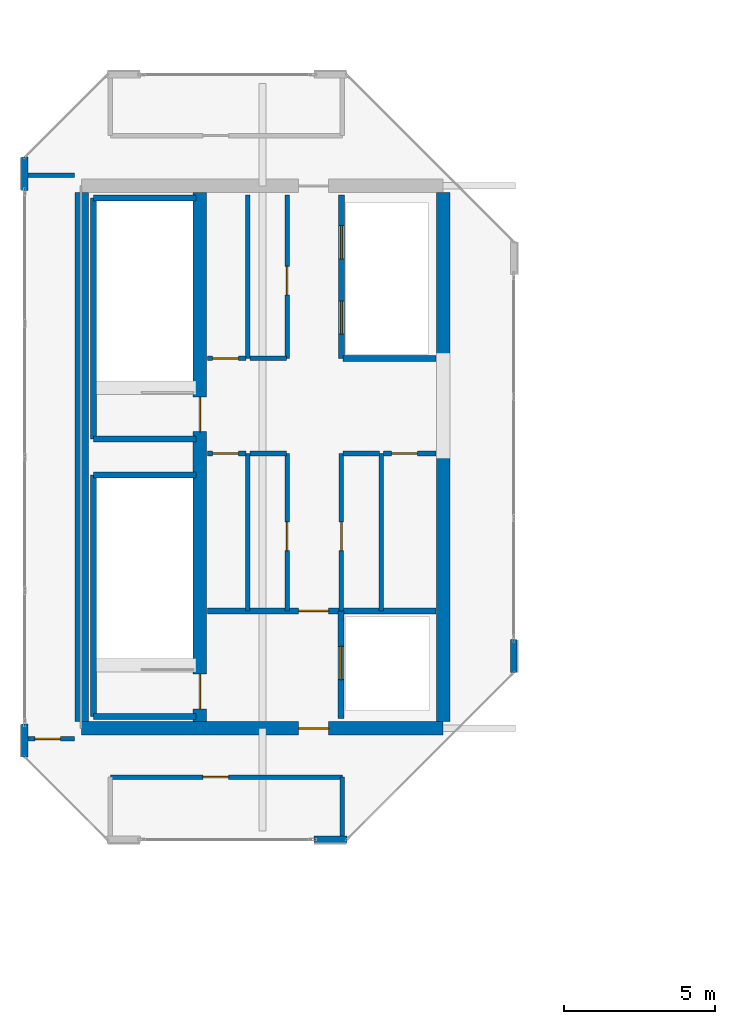
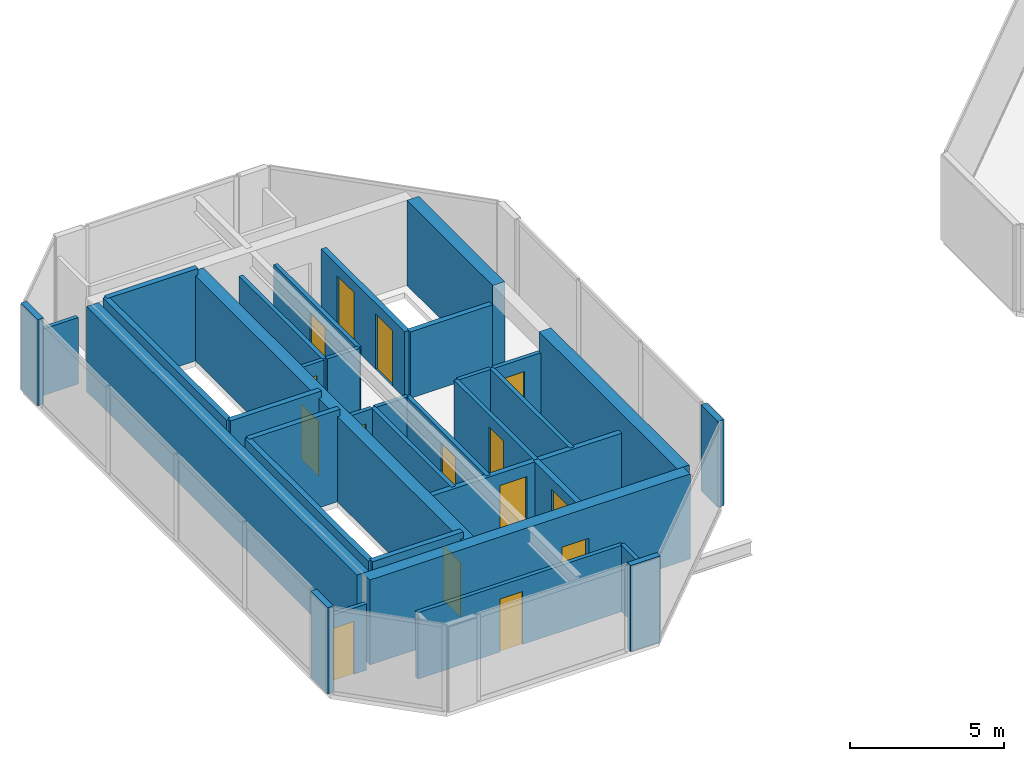
# One storey, part 23 of 28: 35 walls, 15 doors, 15 openings.
"""IFC4 building model written with IfcOpenShell, lengths in metres."""

from ifc_helpers import new_model, si_unit, direction, frame, frame_2d, origin, place, context, subcontext, project, spatial, rectangle, extrude, material, layer, layer_set, type_object, element, fill, save


model = new_model("IFC4")

# Units and contexts
model_context = context("Model", 3, precision=1e-05, world=origin(), true_north=direction((0.0, 1.0)))
body_context = subcontext(model_context, "Body", "Model", "MODEL_VIEW")
ifc_project = project(units=[si_unit("LENGTHUNIT", "METRE"), si_unit("AREAUNIT", "SQUARE_METRE"), si_unit("VOLUMEUNIT", "CUBIC_METRE"), si_unit("PLANEANGLEUNIT", "RADIAN"), si_unit("MASSUNIT", "GRAM", prefix="KILO")], contexts=[model_context])

# Site, building, storey
site_placement = place(None, origin())
site = spatial("IfcSite", under=ifc_project, at=site_placement, CompositionType="ELEMENT")
building_placement = place(site_placement, origin())
building = spatial("IfcBuilding", under=site, at=building_placement, Name="Tanjung Sevakor Pilgrim Tower", CompositionType="ELEMENT")
storey_placement = place(building_placement, frame((0.0, 0.0, 257.070068359375)))
storey = spatial("IfcBuildingStorey", under=building, at=storey_placement, Name="L72", CompositionType="ELEMENT", Elevation=257.070068359375)

# Wall, opening, door
ifc_material_1 = material(Name="Concrete C60/75", Category="concrete")
ifc_layer_1 = layer(ifc_material_1, 0.449951171875)
ifc_layer_set_1 = layer_set([ifc_layer_1], Name="WALL-CW-450")
wall_type_1 = type_object("IfcWallType", Name="WALL-CW-450", PredefinedType="SHEAR", material=ifc_layer_set_1)
wall_1_placement = place(storey_placement, frame((24.0, 24.60009765625, 0.0), z_axis=(0.0, 0.0, 1.0), x_axis=(1.0, 0.0, 0.0)))
wall_1 = element("IfcWall", 1, at=wall_1_placement, inside=storey, type_object=wall_type_1, Name="L72 W Core South Shear Wall", PredefinedType="SHEAR", context=body_context, shape_type="SweptSolid", body=[
    extrude(rectangle(XDim=12.0, YDim=0.449951171875, at=frame_2d((6.0, 0.0))), origin(), (0.0, 0.0, 1.0), 3.369873046875),
])
opening_1_placement = place(wall_1_placement, frame((7.199951171875, 0.0, 0.0)))
opening_1 = element("IfcOpeningElement", 2, at=opening_1_placement, cuts=wall_1, Name="Opening ID-FD1", PredefinedType="OPENING", context=body_context, shape_type="SweptSolid", body=[
    extrude(rectangle(XDim=1.0, YDim=2.14990234375, at=frame_2d((0.5, 1.074951171875))), frame((0.0, 0.23486328125, 0.0), z_axis=(0.0, -1.0, 0.0), x_axis=(1.0, 0.0, 0.0)), (0.0, 0.0, 1.0), 0.469970703125),
])
ifc_material_2 = material(Name="Fire-Rated Steel S355J2", Category="steel")
door_type_1 = type_object("IfcDoorType", Name="DT-FIRE-1000", OperationType="NOTDEFINED", PredefinedType="DOOR", material=ifc_material_2)
door_1_placement = place(opening_1_placement, origin())
door_1 = element("IfcDoor", 3, at=door_1_placement, inside=storey, type_object=door_type_1, Name="L72 West Core South Vestibule Fire Door", OperationType="SINGLE_SWING_LEFT", OverallHeight=2.14990234375, OverallWidth=1.0, PredefinedType="DOOR", context=body_context, shape_type="SweptSolid", body=[
    extrude(rectangle(XDim=1.0, YDim=2.14990234375, at=frame_2d((0.5, 1.074951171875))), frame((0.0, 0.02490234375, 0.0), z_axis=(0.0, -1.0, 0.0), x_axis=(1.0, 0.0, 0.0)), (0.0, 0.0, 1.0), 0.050048828125),
])
fill(opening_1, door_1)

# Walls
wall_2_placement = place(storey_placement, frame((24.0, 24.824951171875, 0.0), z_axis=(0.0, 0.0, 1.0), x_axis=(0.0, 1.0, 0.0)))
element("IfcWall", 4, at=wall_2_placement, inside=storey, type_object=wall_type_1, Name="L72 W Core Outer Shear Wall", PredefinedType="SHEAR", context=body_context, shape_type="SweptSolid", body=[
    extrude(rectangle(XDim=17.550048828125, YDim=0.449951171875, at=frame_2d((8.77490234375, 0.0))), origin(), (0.0, 0.0, 1.0), 3.369873046875),
])
wall_3_placement = place(storey_placement, frame((36.0, 24.824951171875, 0.0), z_axis=(0.0, 0.0, 1.0), x_axis=(0.0, 1.0, 0.0)))
element("IfcWall", 5, at=wall_3_placement, inside=storey, type_object=wall_type_1, Name="L72 W Core Inner Shear Wall South", PredefinedType="SHEAR", context=body_context, shape_type="SweptSolid", body=[
    extrude(rectangle(XDim=8.97509765625, YDim=0.449951171875, at=frame_2d((4.487548828125, 0.0))), origin(), (0.0, 0.0, 1.0), 3.369873046875),
])
wall_4_placement = place(storey_placement, frame((36.0, 36.800048828125, 0.0), z_axis=(0.0, 0.0, 1.0), x_axis=(0.0, 1.0, 0.0)))
element("IfcWall", 6, at=wall_4_placement, inside=storey, type_object=wall_type_1, Name="L72 W Core Inner Shear Wall North", PredefinedType="SHEAR", context=body_context, shape_type="SweptSolid", body=[
    extrude(rectangle(XDim=5.574951171875, YDim=0.449951171875, at=frame_2d((2.78759765625, 0.0))), origin(), (0.0, 0.0, 1.0), 3.369873046875),
])

# Wall, openings, doors
wall_5_placement = place(storey_placement, frame((27.925048828125, 24.824951171875, 0.0), z_axis=(0.0, 0.0, 1.0), x_axis=(0.0, 1.0, 0.0)))
wall_5 = element("IfcWall", 7, at=wall_5_placement, inside=storey, type_object=wall_type_1, Name="L72 W Core Stair Spine Wall", PredefinedType="SHEAR", context=body_context, shape_type="SweptSolid", body=[
    extrude(rectangle(XDim=17.550048828125, YDim=0.449951171875, at=frame_2d((8.77490234375, 0.0))), origin(), (0.0, 0.0, 1.0), 3.369873046875),
])
opening_2_placement = place(wall_5_placement, frame((0.425048828125, 0.0, 0.0)))
opening_2 = element("IfcOpeningElement", 8, at=opening_2_placement, cuts=wall_5, Name="Opening ID-ST1", PredefinedType="OPENING", context=body_context, shape_type="SweptSolid", body=[
    extrude(rectangle(XDim=1.14990234375, YDim=2.14990234375, at=frame_2d((0.574951171875, 1.074951171875))), frame((0.0, 0.23486328125, 0.0), z_axis=(0.0, -1.0, 0.0), x_axis=(1.0, 0.0, 0.0)), (0.0, 0.0, 1.0), 0.469970703125),
])
opening_3_placement = place(wall_5_placement, frame((9.625, 0.0, 0.0)))
opening_3 = element("IfcOpeningElement", 9, at=opening_3_placement, cuts=wall_5, Name="Opening ID-ST1", PredefinedType="OPENING", context=body_context, shape_type="SweptSolid", body=[
    extrude(rectangle(XDim=1.14990234375, YDim=2.14990234375, at=frame_2d((0.574951171875, 1.074951171875))), frame((0.0, 0.23486328125, 0.0), z_axis=(0.0, -1.0, 0.0), x_axis=(1.0, 0.0, 0.0)), (0.0, 0.0, 1.0), 0.469970703125),
])
ifc_material_3 = material(Name="Fire-Rated Steel S355J2", Category="steel")
door_type_2 = type_object("IfcDoorType", Name="DT-FIRE-1150", OperationType="NOTDEFINED", PredefinedType="DOOR", material=ifc_material_3)
door_2_placement = place(opening_2_placement, origin())
door_2 = element("IfcDoor", 10, at=door_2_placement, inside=storey, type_object=door_type_2, Name="L72 TS-W1 Stair Fire Door", OperationType="SINGLE_SWING_LEFT", OverallHeight=2.14990234375, OverallWidth=1.14990234375, PredefinedType="DOOR", context=body_context, shape_type="SweptSolid", body=[
    extrude(rectangle(XDim=1.14990234375, YDim=2.14990234375, at=frame_2d((0.574951171875, 1.074951171875))), frame((0.0, 0.02490234375, 0.0), z_axis=(0.0, -1.0, 0.0), x_axis=(1.0, 0.0, 0.0)), (0.0, 0.0, 1.0), 0.050048828125),
])
fill(opening_2, door_2)
door_3_placement = place(opening_3_placement, origin())
door_3 = element("IfcDoor", 11, at=door_3_placement, inside=storey, type_object=door_type_2, Name="L72 TS-W2 Stair Fire Door", OperationType="SINGLE_SWING_RIGHT", OverallHeight=2.14990234375, OverallWidth=1.14990234375, PredefinedType="DOOR", context=body_context, shape_type="SweptSolid", body=[
    extrude(rectangle(XDim=1.14990234375, YDim=2.14990234375, at=frame_2d((0.574951171875, 1.074951171875))), frame((0.0, 0.02490234375, 0.0), z_axis=(0.0, -1.0, 0.0), x_axis=(1.0, 0.0, 0.0)), (0.0, 0.0, 1.0), 0.050048828125),
])
fill(opening_3, door_3)

# Wall
ifc_material_4 = material(Name="Concrete C40/50", Category="concrete")
ifc_layer_2 = layer(ifc_material_4, 0.14990234375)
ifc_layer_set_2 = layer_set([ifc_layer_2], Name="WT-COMP-150")
wall_type_2 = type_object("IfcWallType", Name="WT-COMP-150", PredefinedType="SOLIDWALL", material=ifc_layer_set_2)
wall_6_placement = place(storey_placement, frame((29.52001953125, 28.5, 0.0), z_axis=(0.0, 0.0, 1.0), x_axis=(0.0, 1.0, 0.0)))
element("IfcWall", 12, at=wall_6_placement, inside=storey, type_object=wall_type_2, Name="L72 Partition IW-L72-003", PredefinedType="SOLIDWALL", context=body_context, shape_type="SweptSolid", body=[
    extrude(rectangle(XDim=5.219970703125, YDim=0.14990234375, at=frame_2d((2.60986328125, 0.0))), origin(), (0.0, 0.0, 1.0), 2.6298828125),
])

# Wall, opening, door
wall_7_placement = place(storey_placement, frame((28.169921875, 33.719970703125, 0.0), z_axis=(0.0, 0.0, 1.0), x_axis=(1.0, 0.0, 0.0)))
wall_7 = element("IfcWall", 13, at=wall_7_placement, inside=storey, type_object=wall_type_2, Name="L72 Partition IW-L72-004", PredefinedType="SOLIDWALL", context=body_context, shape_type="SweptSolid", body=[
    extrude(rectangle(XDim=1.280029296875, YDim=0.14990234375, at=frame_2d((0.64013671875, 0.0))), origin(), (0.0, 0.0, 1.0), 2.6298828125),
])
opening_4_placement = place(wall_7_placement, frame((0.179931640625, 0.0, 0.0)))
opening_4 = element("IfcOpeningElement", 14, at=opening_4_placement, cuts=wall_7, Name="Opening ID-FD3", PredefinedType="OPENING", context=body_context, shape_type="SweptSolid", body=[
    extrude(rectangle(XDim=0.85009765625, YDim=2.10009765625, at=frame_2d((0.425048828125, 1.050048828125))), frame((0.0, 0.0849609375, 0.0), z_axis=(0.0, -1.0, 0.0), x_axis=(1.0, 0.0, 0.0)), (0.0, 0.0, 1.0), 0.169921875),
])
ifc_material_5 = material(Name="Fire-Rated Timber", Category="wood")
door_type_3 = type_object("IfcDoorType", Name="DT-FIRE-850", OperationType="NOTDEFINED", PredefinedType="DOOR", material=ifc_material_5)
door_4_placement = place(opening_4_placement, origin())
door_4 = element("IfcDoor", 15, at=door_4_placement, inside=storey, type_object=door_type_3, Name="L72 Cleaner Store Door", OperationType="SINGLE_SWING_RIGHT", OverallHeight=2.10009765625, OverallWidth=0.85009765625, PredefinedType="DOOR", context=body_context, shape_type="SweptSolid", body=[
    extrude(rectangle(XDim=0.85009765625, YDim=2.10009765625, at=frame_2d((0.425048828125, 1.050048828125))), frame((0.0, 0.02490234375, 0.0), z_axis=(0.0, -1.0, 0.0), x_axis=(1.0, 0.0, 0.0)), (0.0, 0.0, 1.0), 0.050048828125),
])
fill(opening_4, door_4)

# Wall
wall_8_placement = place(storey_placement, frame((29.580078125, 33.719970703125, 0.0), z_axis=(0.0, 0.0, 1.0), x_axis=(1.0, 0.0, 0.0)))
element("IfcWall", 16, at=wall_8_placement, inside=storey, type_object=wall_type_2, Name="L72 Partition IW-L72-005", PredefinedType="SOLIDWALL", context=body_context, shape_type="SweptSolid", body=[
    extrude(rectangle(XDim=1.219970703125, YDim=0.14990234375, at=frame_2d((0.60986328125, 0.0))), origin(), (0.0, 0.0, 1.0), 2.6298828125),
])

# Wall, opening, door
wall_9_placement = place(storey_placement, frame((30.820068359375, 28.5, 0.0), z_axis=(0.0, 0.0, 1.0), x_axis=(0.0, 1.0, 0.0)))
wall_9 = element("IfcWall", 17, at=wall_9_placement, inside=storey, type_object=wall_type_2, Name="L72 Partition IW-L72-006", PredefinedType="SOLIDWALL", context=body_context, shape_type="SweptSolid", body=[
    extrude(rectangle(XDim=5.219970703125, YDim=0.14990234375, at=frame_2d((2.60986328125, 0.0))), origin(), (0.0, 0.0, 1.0), 2.6298828125),
])
opening_5_placement = place(wall_9_placement, frame((2.0, 0.0, 0.0)))
opening_5 = element("IfcOpeningElement", 18, at=opening_5_placement, cuts=wall_9, Name="Opening ID-FD2", PredefinedType="OPENING", context=body_context, shape_type="SweptSolid", body=[
    extrude(rectangle(XDim=0.949951171875, YDim=2.14990234375, at=frame_2d((0.47509765625, 1.074951171875))), frame((0.0, 0.0849609375, 0.0), z_axis=(0.0, -1.0, 0.0), x_axis=(1.0, 0.0, 0.0)), (0.0, 0.0, 1.0), 0.169921875),
])
ifc_material_6 = material(Name="Fire-Rated Timber", Category="wood")
door_type_4 = type_object("IfcDoorType", Name="DT-FIRE-950", OperationType="NOTDEFINED", PredefinedType="DOOR", material=ifc_material_6)
door_5_placement = place(opening_5_placement, origin())
door_5 = element("IfcDoor", 19, at=door_5_placement, inside=storey, type_object=door_type_4, Name="L72 Housekeeping Pantry Door", OperationType="SINGLE_SWING_LEFT", OverallHeight=2.14990234375, OverallWidth=0.949951171875, PredefinedType="DOOR", context=body_context, shape_type="SweptSolid", body=[
    extrude(rectangle(XDim=0.949951171875, YDim=2.14990234375, at=frame_2d((0.47509765625, 1.074951171875))), frame((0.0, 0.02490234375, 0.0), z_axis=(0.0, -1.0, 0.0), x_axis=(1.0, 0.0, 0.0)), (0.0, 0.0, 1.0), 0.050048828125),
])
fill(opening_5, door_5)

# Walls
wall_10_placement = place(storey_placement, frame((33.949951171875, 28.5, 0.0), z_axis=(0.0, 0.0, 1.0), x_axis=(0.0, 1.0, 0.0)))
element("IfcWall", 20, at=wall_10_placement, inside=storey, type_object=wall_type_2, Name="L72 Partition IW-L72-007", PredefinedType="SOLIDWALL", context=body_context, shape_type="SweptSolid", body=[
    extrude(rectangle(XDim=5.219970703125, YDim=0.14990234375, at=frame_2d((2.60986328125, 0.0))), origin(), (0.0, 0.0, 1.0), 2.6298828125),
])
wall_11_placement = place(storey_placement, frame((32.679931640625, 33.719970703125, 0.0), z_axis=(0.0, 0.0, 1.0), x_axis=(1.0, 0.0, 0.0)))
element("IfcWall", 21, at=wall_11_placement, inside=storey, type_object=wall_type_2, Name="L72 Partition IW-L72-008", PredefinedType="SOLIDWALL", context=body_context, shape_type="SweptSolid", body=[
    extrude(rectangle(XDim=1.2099609375, YDim=0.14990234375, at=frame_2d((0.60498046875, 0.0))), origin(), (0.0, 0.0, 1.0), 2.6298828125),
])

# Wall, opening, door
wall_12_placement = place(storey_placement, frame((34.010009765625, 33.719970703125, 0.0), z_axis=(0.0, 0.0, 1.0), x_axis=(1.0, 0.0, 0.0)))
wall_12 = element("IfcWall", 22, at=wall_12_placement, inside=storey, type_object=wall_type_2, Name="L72 Partition IW-L72-009", PredefinedType="SOLIDWALL", context=body_context, shape_type="SweptSolid", body=[
    extrude(rectangle(XDim=1.744873046875, YDim=0.14990234375, at=frame_2d((0.87255859375, 0.0))), origin(), (0.0, 0.0, 1.0), 2.6298828125),
])
opening_6_placement = place(wall_12_placement, frame((0.280029296875, 0.0, 0.0)))
opening_6 = element("IfcOpeningElement", 23, at=opening_6_placement, cuts=wall_12, Name="Opening ID-FD3", PredefinedType="OPENING", context=body_context, shape_type="SweptSolid", body=[
    extrude(rectangle(XDim=0.85009765625, YDim=2.10009765625, at=frame_2d((0.425048828125, 1.050048828125))), frame((0.0, 0.0849609375, 0.0), z_axis=(0.0, -1.0, 0.0), x_axis=(1.0, 0.0, 0.0)), (0.0, 0.0, 1.0), 0.169921875),
])
door_6_placement = place(opening_6_placement, origin())
door_6 = element("IfcDoor", 24, at=door_6_placement, inside=storey, type_object=door_type_3, Name="L72 Service Store Door", OperationType="SINGLE_SWING_RIGHT", OverallHeight=2.10009765625, OverallWidth=0.85009765625, PredefinedType="DOOR", context=body_context, shape_type="SweptSolid", body=[
    extrude(rectangle(XDim=0.85009765625, YDim=2.10009765625, at=frame_2d((0.425048828125, 1.050048828125))), frame((0.0, 0.02490234375, 0.0), z_axis=(0.0, -1.0, 0.0), x_axis=(1.0, 0.0, 0.0)), (0.0, 0.0, 1.0), 0.050048828125),
])
fill(opening_6, door_6)

wall_13_placement = place(storey_placement, frame((32.6201171875, 28.5, 0.0), z_axis=(0.0, 0.0, 1.0), x_axis=(0.0, 1.0, 0.0)))
wall_13 = element("IfcWall", 25, at=wall_13_placement, inside=storey, type_object=wall_type_2, Name="L72 Partition IW-L72-010", PredefinedType="SOLIDWALL", context=body_context, shape_type="SweptSolid", body=[
    extrude(rectangle(XDim=5.219970703125, YDim=0.14990234375, at=frame_2d((2.60986328125, 0.0))), origin(), (0.0, 0.0, 1.0), 2.6298828125),
])
opening_7_placement = place(wall_13_placement, frame((2.0, 0.0, 0.0)))
opening_7 = element("IfcOpeningElement", 26, at=opening_7_placement, cuts=wall_13, Name="Opening ID-FD2", PredefinedType="OPENING", context=body_context, shape_type="SweptSolid", body=[
    extrude(rectangle(XDim=0.949951171875, YDim=2.14990234375, at=frame_2d((0.47509765625, 1.074951171875))), frame((0.0, 0.0849609375, 0.0), z_axis=(0.0, -1.0, 0.0), x_axis=(1.0, 0.0, 0.0)), (0.0, 0.0, 1.0), 0.169921875),
])
door_7_placement = place(opening_7_placement, origin())
door_7 = element("IfcDoor", 27, at=door_7_placement, inside=storey, type_object=door_type_4, Name="L72 Accessible WC Door", OperationType="SINGLE_SWING_LEFT", OverallHeight=2.14990234375, OverallWidth=0.949951171875, PredefinedType="DOOR", context=body_context, shape_type="SweptSolid", body=[
    extrude(rectangle(XDim=0.949951171875, YDim=2.14990234375, at=frame_2d((0.47509765625, 1.074951171875))), frame((0.0, 0.02490234375, 0.0), z_axis=(0.0, -1.0, 0.0), x_axis=(1.0, 0.0, 0.0)), (0.0, 0.0, 1.0), 0.050048828125),
])
fill(opening_7, door_7)

# Wall
wall_14_placement = place(storey_placement, frame((29.52001953125, 36.8798828125, 0.0), z_axis=(0.0, 0.0, 1.0), x_axis=(0.0, 1.0, 0.0)))
element("IfcWall", 28, at=wall_14_placement, inside=storey, type_object=wall_type_2, Name="L72 Partition IW-L72-011", PredefinedType="SOLIDWALL", context=body_context, shape_type="SweptSolid", body=[
    extrude(rectangle(XDim=5.420166015625, YDim=0.14990234375, at=frame_2d((2.7099609375, 0.0))), origin(), (0.0, 0.0, 1.0), 2.6298828125),
])

# Wall, opening, door
wall_15_placement = place(storey_placement, frame((28.169921875, 36.8798828125, 0.0), z_axis=(0.0, 0.0, 1.0), x_axis=(1.0, 0.0, 0.0)))
wall_15 = element("IfcWall", 29, at=wall_15_placement, inside=storey, type_object=wall_type_2, Name="L72 Partition IW-L72-012", PredefinedType="SOLIDWALL", context=body_context, shape_type="SweptSolid", body=[
    extrude(rectangle(XDim=1.280029296875, YDim=0.14990234375, at=frame_2d((0.64013671875, 0.0))), origin(), (0.0, 0.0, 1.0), 2.6298828125),
])
opening_8_placement = place(wall_15_placement, frame((0.179931640625, 0.0, 0.0)))
opening_8 = element("IfcOpeningElement", 30, at=opening_8_placement, cuts=wall_15, Name="Opening ID-FD3", PredefinedType="OPENING", context=body_context, shape_type="SweptSolid", body=[
    extrude(rectangle(XDim=0.85009765625, YDim=2.10009765625, at=frame_2d((0.425048828125, 1.050048828125))), frame((0.0, 0.0849609375, 0.0), z_axis=(0.0, -1.0, 0.0), x_axis=(1.0, 0.0, 0.0)), (0.0, 0.0, 1.0), 0.169921875),
])
door_8_placement = place(opening_8_placement, origin())
door_8 = element("IfcDoor", 31, at=door_8_placement, inside=storey, type_object=door_type_3, Name="L72 Service Store Door", OperationType="SINGLE_SWING_RIGHT", OverallHeight=2.10009765625, OverallWidth=0.85009765625, PredefinedType="DOOR", context=body_context, shape_type="SweptSolid", body=[
    extrude(rectangle(XDim=0.85009765625, YDim=2.10009765625, at=frame_2d((0.425048828125, 1.050048828125))), frame((0.0, 0.02490234375, 0.0), z_axis=(0.0, -1.0, 0.0), x_axis=(1.0, 0.0, 0.0)), (0.0, 0.0, 1.0), 0.050048828125),
])
fill(opening_8, door_8)

# Wall
wall_16_placement = place(storey_placement, frame((29.580078125, 36.8798828125, 0.0), z_axis=(0.0, 0.0, 1.0), x_axis=(1.0, 0.0, 0.0)))
element("IfcWall", 32, at=wall_16_placement, inside=storey, type_object=wall_type_2, Name="L72 Partition IW-L72-013", PredefinedType="SOLIDWALL", context=body_context, shape_type="SweptSolid", body=[
    extrude(rectangle(XDim=1.219970703125, YDim=0.14990234375, at=frame_2d((0.60986328125, 0.0))), origin(), (0.0, 0.0, 1.0), 2.6298828125),
])

# Wall, opening, door
wall_17_placement = place(storey_placement, frame((30.820068359375, 36.8798828125, 0.0), z_axis=(0.0, 0.0, 1.0), x_axis=(0.0, 1.0, 0.0)))
wall_17 = element("IfcWall", 33, at=wall_17_placement, inside=storey, type_object=wall_type_2, Name="L72 Partition IW-L72-014", PredefinedType="SOLIDWALL", context=body_context, shape_type="SweptSolid", body=[
    extrude(rectangle(XDim=5.420166015625, YDim=0.14990234375, at=frame_2d((2.7099609375, 0.0))), origin(), (0.0, 0.0, 1.0), 2.6298828125),
])
opening_9_placement = place(wall_17_placement, frame((2.10009765625, 0.0, 0.0)))
opening_9 = element("IfcOpeningElement", 34, at=opening_9_placement, cuts=wall_17, Name="Opening ID-FD2", PredefinedType="OPENING", context=body_context, shape_type="SweptSolid", body=[
    extrude(rectangle(XDim=0.949951171875, YDim=2.14990234375, at=frame_2d((0.47509765625, 1.074951171875))), frame((0.0, 0.0849609375, 0.0), z_axis=(0.0, -1.0, 0.0), x_axis=(1.0, 0.0, 0.0)), (0.0, 0.0, 1.0), 0.169921875),
])
door_9_placement = place(opening_9_placement, origin())
door_9 = element("IfcDoor", 35, at=door_9_placement, inside=storey, type_object=door_type_4, Name="L72 Core Reading Room Door", OperationType="SINGLE_SWING_LEFT", OverallHeight=2.14990234375, OverallWidth=0.949951171875, PredefinedType="DOOR", context=body_context, shape_type="SweptSolid", body=[
    extrude(rectangle(XDim=0.949951171875, YDim=2.14990234375, at=frame_2d((0.47509765625, 1.074951171875))), frame((0.0, 0.02490234375, 0.0), z_axis=(0.0, -1.0, 0.0), x_axis=(1.0, 0.0, 0.0)), (0.0, 0.0, 1.0), 0.050048828125),
])
fill(opening_9, door_9)

wall_18_placement = place(storey_placement, frame((24.949951171875, 22.97998046875, 0.0), z_axis=(0.0, 0.0, 1.0), x_axis=(1.0, 0.0, 0.0)))
wall_18 = element("IfcWall", 36, at=wall_18_placement, inside=storey, type_object=wall_type_2, Name="L72 Partition IW-L72-033", PredefinedType="SOLIDWALL", context=body_context, shape_type="SweptSolid", body=[
    extrude(rectangle(XDim=7.699951171875, YDim=0.14990234375, at=frame_2d((3.85009765625, 0.0))), origin(), (0.0, 0.0, 1.0), 2.6298828125),
])
opening_10_placement = place(wall_18_placement, frame((3.074951171875, 0.0, 0.0)))
opening_10 = element("IfcOpeningElement", 37, at=opening_10_placement, cuts=wall_18, Name="Opening ID-WC1", PredefinedType="OPENING", context=body_context, shape_type="SweptSolid", body=[
    extrude(rectangle(XDim=0.85009765625, YDim=2.10009765625, at=frame_2d((0.425048828125, 1.050048828125))), frame((0.0, 0.0849609375, 0.0), z_axis=(0.0, -1.0, 0.0), x_axis=(1.0, 0.0, 0.0)), (0.0, 0.0, 1.0), 0.169921875),
])
ifc_material_7 = material(Name="Moisture-Resistant Timber", Category="wood")
door_type_5 = type_object("IfcDoorType", Name="DT-INT-850", OperationType="NOTDEFINED", PredefinedType="DOOR", material=ifc_material_7)
door_10_placement = place(opening_10_placement, origin())
door_10 = element("IfcDoor", 38, at=door_10_placement, inside=storey, type_object=door_type_5, Name="L72 West Peak Meditation Door", OperationType="SINGLE_SWING_RIGHT", OverallHeight=2.10009765625, OverallWidth=0.85009765625, PredefinedType="DOOR", context=body_context, shape_type="SweptSolid", body=[
    extrude(rectangle(XDim=0.85009765625, YDim=2.10009765625, at=frame_2d((0.425048828125, 1.050048828125))), frame((0.0, 0.02490234375, 0.0), z_axis=(0.0, -1.0, 0.0), x_axis=(1.0, 0.0, 0.0)), (0.0, 0.0, 1.0), 0.050048828125),
])
fill(opening_10, door_10)

# Wall
wall_19_placement = place(storey_placement, frame((32.64990234375, 20.919921875, 0.0), z_axis=(0.0, 0.0, 1.0), x_axis=(0.0, 1.0, 0.0)))
element("IfcWall", 39, at=wall_19_placement, inside=storey, type_object=wall_type_2, Name="L72 Partition IW-L72-035", PredefinedType="SOLIDWALL", context=body_context, shape_type="SweptSolid", body=[
    extrude(rectangle(XDim=2.06005859375, YDim=0.14990234375, at=frame_2d((1.030029296875, 0.0))), origin(), (0.0, 0.0, 1.0), 2.6298828125),
])

# Wall, opening, door
wall_20_placement = place(storey_placement, frame((22.1201171875, 24.25, 0.0), z_axis=(0.0, 0.0, 1.0), x_axis=(1.0, 0.0, 0.0)))
wall_20 = element("IfcWall", 40, at=wall_20_placement, inside=storey, type_object=wall_type_2, Name="L72 Partition IW-L72-036", PredefinedType="SOLIDWALL", context=body_context, shape_type="SweptSolid", body=[
    extrude(rectangle(XDim=1.639892578125, YDim=0.14990234375, at=frame_2d((0.81982421875, 0.0))), origin(), (0.0, 0.0, 1.0), 2.6298828125),
])
opening_11_placement = place(wall_20_placement, frame((0.324951171875, 0.0, 0.0)))
opening_11 = element("IfcOpeningElement", 41, at=opening_11_placement, cuts=wall_20, Name="Opening ID-WC1", PredefinedType="OPENING", context=body_context, shape_type="SweptSolid", body=[
    extrude(rectangle(XDim=0.85009765625, YDim=2.10009765625, at=frame_2d((0.425048828125, 1.050048828125))), frame((0.0, 0.0849609375, 0.0), z_axis=(0.0, -1.0, 0.0), x_axis=(1.0, 0.0, 0.0)), (0.0, 0.0, 1.0), 0.169921875),
])
door_11_placement = place(opening_11_placement, origin())
door_11 = element("IfcDoor", 42, at=door_11_placement, inside=storey, type_object=door_type_5, Name="L72 West Peak Sky Lounge Door", OperationType="SINGLE_SWING_LEFT", OverallHeight=2.10009765625, OverallWidth=0.85009765625, PredefinedType="DOOR", context=body_context, shape_type="SweptSolid", body=[
    extrude(rectangle(XDim=0.85009765625, YDim=2.10009765625, at=frame_2d((0.425048828125, 1.050048828125))), frame((0.0, 0.02490234375, 0.0), z_axis=(0.0, -1.0, 0.0), x_axis=(1.0, 0.0, 0.0)), (0.0, 0.0, 1.0), 0.050048828125),
])
fill(opening_11, door_11)

# Walls
wall_21_placement = place(storey_placement, frame((22.1201171875, 42.949951171875, 0.0), z_axis=(0.0, 0.0, 1.0), x_axis=(1.0, 0.0, 0.0)))
element("IfcWall", 43, at=wall_21_placement, inside=storey, type_object=wall_type_2, Name="L72 Partition IW-L72-037", PredefinedType="SOLIDWALL", context=body_context, shape_type="SweptSolid", body=[
    extrude(rectangle(XDim=1.639892578125, YDim=0.14990234375, at=frame_2d((0.81982421875, 0.0))), origin(), (0.0, 0.0, 1.0), 2.6298828125),
])
ifc_material_8 = material(Name="Precast concrete C45/55", Category="concrete")
ifc_layer_3 = layer(ifc_material_8, 0.219970703125)
ifc_layer_set_3 = layer_set([ifc_layer_3], Name="WT-EW-STN4")
wall_type_3 = type_object("IfcWallType", Name="WT-EW-STN4", PredefinedType="SOLIDWALL", material=ifc_layer_set_3)
for number, where, z_axis, x_axis, name in (
    (44, (31.704345703125, 20.909912109375, 0.0), (0.0, 0.0, 1.0), (1.0, 0.0, 0.0), "L72 WEST Crown Pier 0-1B"),
    (45, (38.340087890625, 26.445556640625, 0.0), (0.0, 0.0, 1.0), (0.0, 1.0, 0.0), "L72 WEST Crown Pier 2-1A"),
    (46, (22.110107421875, 43.554443359375, 0.0), (0.0, 0.0, 1.0), (0.0, -1.0, 0.0), "L72 WEST Crown Pier 6-1A"),
    (47, (22.110107421875, 24.74560546875, 0.0), (0.0, 0.0, 1.0), (0.0, -1.0, 0.0), "L72 WEST Crown Pier 6-1B"),
):
    element("IfcWall", number, at=place(storey_placement, frame(where, z_axis=z_axis, x_axis=x_axis)), inside=storey, type_object=wall_type_3, Name=name, PredefinedType="SOLIDWALL", context=body_context, shape_type="SweptSolid", body=[
        extrude(rectangle(XDim=1.10009765625, YDim=0.219970703125, at=frame_2d((0.550048828125, 0.0))), origin(), (0.0, 0.0, 1.0), 3.409912109375),
    ])
ifc_material_9 = material(Name="Concrete C40/50", Category="concrete")
ifc_layer_4 = layer(ifc_material_9, 0.199951171875)
ifc_layer_set_4 = layer_set([ifc_layer_4], Name="WT-FIRE-200")
wall_type_4 = type_object("IfcWallType", Name="WT-FIRE-200", PredefinedType="SOLIDWALL", material=ifc_layer_set_4)
for number, where, z_axis, x_axis, name in (
    (48, (24.39990234375, 25.0, 0.0), (0.0, 0.0, 1.0), (1.0, 0.0, 0.0), "L72 TS-W1 Shaft Wall 1"),
    (49, (27.800048828125, 33.0, 0.0), (0.0, 0.0, 1.0), (-1.0, 0.0, 0.0), "L72 TS-W1 Shaft Wall 2"),
):
    element("IfcWall", number, at=place(storey_placement, frame(where, z_axis=z_axis, x_axis=x_axis)), inside=storey, type_object=wall_type_4, Name=name, PredefinedType="SOLIDWALL", context=body_context, shape_type="SweptSolid", body=[
        extrude(rectangle(XDim=3.400146484375, YDim=0.199951171875, at=frame_2d((1.7001953125, 0.0))), origin(), (0.0, 0.0, 1.0), 3.6298828125),
    ])
wall_22_placement = place(storey_placement, frame((24.39990234375, 33.0, 0.0), z_axis=(0.0, 0.0, 1.0), x_axis=(0.0, -1.0, 0.0)))
element("IfcWall", 50, at=wall_22_placement, inside=storey, type_object=wall_type_4, Name="L72 TS-W1 Shaft Wall 3", PredefinedType="SOLIDWALL", context=body_context, shape_type="SweptSolid", body=[
    extrude(rectangle(XDim=8.0, YDim=0.199951171875, at=frame_2d((4.0, 0.0))), origin(), (0.0, 0.0, 1.0), 3.6298828125),
])
for number, where, z_axis, x_axis, name in (
    (51, (24.39990234375, 34.199951171875, 0.0), (0.0, 0.0, 1.0), (1.0, 0.0, 0.0), "L72 TS-W2 Shaft Wall 1"),
    (52, (27.800048828125, 42.199951171875, 0.0), (0.0, 0.0, 1.0), (-1.0, 0.0, 0.0), "L72 TS-W2 Shaft Wall 2"),
):
    element("IfcWall", number, at=place(storey_placement, frame(where, z_axis=z_axis, x_axis=x_axis)), inside=storey, type_object=wall_type_4, Name=name, PredefinedType="SOLIDWALL", context=body_context, shape_type="SweptSolid", body=[
        extrude(rectangle(XDim=3.400146484375, YDim=0.199951171875, at=frame_2d((1.7001953125, 0.0))), origin(), (0.0, 0.0, 1.0), 3.6298828125),
    ])
wall_23_placement = place(storey_placement, frame((24.39990234375, 42.199951171875, 0.0), z_axis=(0.0, 0.0, 1.0), x_axis=(0.0, -1.0, 0.0)))
element("IfcWall", 53, at=wall_23_placement, inside=storey, type_object=wall_type_4, Name="L72 TS-W2 Shaft Wall 3", PredefinedType="SOLIDWALL", context=body_context, shape_type="SweptSolid", body=[
    extrude(rectangle(XDim=8.0, YDim=0.199951171875, at=frame_2d((4.0, 0.0))), origin(), (0.0, 0.0, 1.0), 3.6298828125),
])

# Wall, opening, door
ifc_material_10 = material(Name="Concrete C40/50", Category="concrete")
ifc_layer_5 = layer(ifc_material_10, 0.199951171875)
ifc_layer_set_5 = layer_set([ifc_layer_5], Name="WT-FPRT-200")
wall_type_5 = type_object("IfcWallType", Name="WT-FPRT-200", PredefinedType="SOLIDWALL", material=ifc_layer_set_5)
wall_24_placement = place(storey_placement, frame((32.60009765625, 24.919921875, 0.0), z_axis=(0.0, 0.0, 1.0), x_axis=(0.0, 1.0, 0.0)))
wall_24 = element("IfcWall", 54, at=wall_24_placement, inside=storey, type_object=wall_type_5, Name="L72 Partition IW-L72-001", PredefinedType="SOLIDWALL", context=body_context, shape_type="SweptSolid", body=[
    extrude(rectangle(XDim=3.580078125, YDim=0.199951171875, at=frame_2d((1.7900390625, 0.0))), origin(), (0.0, 0.0, 1.0), 2.6298828125),
])
opening_12_placement = place(wall_24_placement, frame((1.300048828125, 0.0, 0.0)))
opening_12 = element("IfcOpeningElement", 55, at=opening_12_placement, cuts=wall_24, Name="Opening LD-1100", PredefinedType="OPENING", context=body_context, shape_type="SweptSolid", body=[
    extrude(rectangle(XDim=1.10009765625, YDim=2.199951171875, at=frame_2d((0.550048828125, 1.10009765625))), frame((0.0, 0.10986328125, 0.0), z_axis=(0.0, -1.0, 0.0), x_axis=(1.0, 0.0, 0.0)), (0.0, 0.0, 1.0), 0.219970703125),
])
ifc_material_11 = material(Name="Brushed Stainless Steel S355J2", Category="steel")
door_type_6 = type_object("IfcDoorType", Name="DT-LIFT-1100", OperationType="SLIDING_TO_LEFT", PredefinedType="DOOR", material=ifc_material_11)
door_12_placement = place(opening_12_placement, origin())
door_12 = element("IfcDoor", 56, at=door_12_placement, inside=storey, type_object=door_type_6, Name="LD-FL-W", OperationType="SLIDING_TO_LEFT", OverallHeight=2.199951171875, OverallWidth=1.10009765625, PredefinedType="DOOR", context=body_context, shape_type="SweptSolid", body=[
    extrude(rectangle(XDim=1.10009765625, YDim=2.199951171875, at=frame_2d((0.550048828125, 1.10009765625))), frame((0.0, 0.02490234375, 0.0), z_axis=(0.0, -1.0, 0.0), x_axis=(1.0, 0.0, 0.0)), (0.0, 0.0, 1.0), 0.050048828125),
])
fill(opening_12, door_12)

wall_25_placement = place(storey_placement, frame((28.169921875, 28.5, 0.0), z_axis=(0.0, 0.0, 1.0), x_axis=(1.0, 0.0, 0.0)))
wall_25 = element("IfcWall", 57, at=wall_25_placement, inside=storey, type_object=wall_type_5, Name="L72 Partition IW-L72-002", PredefinedType="SOLIDWALL", context=body_context, shape_type="SweptSolid", body=[
    extrude(rectangle(XDim=7.5849609375, YDim=0.199951171875, at=frame_2d((3.79248046875, 0.0))), origin(), (0.0, 0.0, 1.0), 2.6298828125),
])
opening_13_placement = place(wall_25_placement, frame((3.030029296875, 0.0, 0.0)))
opening_13 = element("IfcOpeningElement", 58, at=opening_13_placement, cuts=wall_25, Name="Opening ID-FD1", PredefinedType="OPENING", context=body_context, shape_type="SweptSolid", body=[
    extrude(rectangle(XDim=1.0, YDim=2.14990234375, at=frame_2d((0.5, 1.074951171875))), frame((0.0, 0.10986328125, 0.0), z_axis=(0.0, -1.0, 0.0), x_axis=(1.0, 0.0, 0.0)), (0.0, 0.0, 1.0), 0.219970703125),
])
door_13_placement = place(opening_13_placement, origin())
door_13 = element("IfcDoor", 59, at=door_13_placement, inside=storey, type_object=door_type_1, Name="Fire Lobby Door W", OperationType="SINGLE_SWING_LEFT", OverallHeight=2.14990234375, OverallWidth=1.0, PredefinedType="DOOR", context=body_context, shape_type="SweptSolid", body=[
    extrude(rectangle(XDim=1.0, YDim=2.14990234375, at=frame_2d((0.5, 1.074951171875))), frame((0.0, 0.02490234375, 0.0), z_axis=(0.0, -1.0, 0.0), x_axis=(1.0, 0.0, 0.0)), (0.0, 0.0, 1.0), 0.050048828125),
])
fill(opening_13, door_13)

# Wall
wall_26_placement = place(storey_placement, frame((32.679931640625, 36.8798828125, 0.0), z_axis=(0.0, 0.0, 1.0), x_axis=(1.0, 0.0, 0.0)))
element("IfcWall", 60, at=wall_26_placement, inside=storey, type_object=wall_type_5, Name="L72 Partition IW-L72-015", PredefinedType="SOLIDWALL", context=body_context, shape_type="SweptSolid", body=[
    extrude(rectangle(XDim=3.074951171875, YDim=0.199951171875, at=frame_2d((1.53759765625, 0.0))), origin(), (0.0, 0.0, 1.0), 2.6298828125),
])

# Wall, openings, doors
wall_27_placement = place(storey_placement, frame((32.6201171875, 36.8798828125, 0.0), z_axis=(0.0, 0.0, 1.0), x_axis=(0.0, 1.0, 0.0)))
wall_27 = element("IfcWall", 61, at=wall_27_placement, inside=storey, type_object=wall_type_5, Name="L72 Partition IW-L72-016", PredefinedType="SOLIDWALL", context=body_context, shape_type="SweptSolid", body=[
    extrude(rectangle(XDim=5.420166015625, YDim=0.199951171875, at=frame_2d((2.7099609375, 0.0))), origin(), (0.0, 0.0, 1.0), 2.6298828125),
])
opening_14_placement = place(wall_27_placement, frame((0.800048828125, 0.0, 0.0)))
opening_14 = element("IfcOpeningElement", 62, at=opening_14_placement, cuts=wall_27, Name="Opening LD-1100", PredefinedType="OPENING", context=body_context, shape_type="SweptSolid", body=[
    extrude(rectangle(XDim=1.10009765625, YDim=2.199951171875, at=frame_2d((0.550048828125, 1.10009765625))), frame((0.0, 0.10986328125, 0.0), z_axis=(0.0, -1.0, 0.0), x_axis=(1.0, 0.0, 0.0)), (0.0, 0.0, 1.0), 0.219970703125),
])
opening_15_placement = place(wall_27_placement, frame((3.300048828125, 0.0, 0.0)))
opening_15 = element("IfcOpeningElement", 63, at=opening_15_placement, cuts=wall_27, Name="Opening LD-1100", PredefinedType="OPENING", context=body_context, shape_type="SweptSolid", body=[
    extrude(rectangle(XDim=1.10009765625, YDim=2.199951171875, at=frame_2d((0.550048828125, 1.10009765625))), frame((0.0, 0.10986328125, 0.0), z_axis=(0.0, -1.0, 0.0), x_axis=(1.0, 0.0, 0.0)), (0.0, 0.0, 1.0), 0.219970703125),
])
door_14_placement = place(opening_14_placement, origin())
door_14 = element("IfcDoor", 64, at=door_14_placement, inside=storey, type_object=door_type_6, Name="LD-PLH1-W", OperationType="SLIDING_TO_LEFT", OverallHeight=2.199951171875, OverallWidth=1.10009765625, PredefinedType="DOOR", context=body_context, shape_type="SweptSolid", body=[
    extrude(rectangle(XDim=1.10009765625, YDim=2.199951171875, at=frame_2d((0.550048828125, 1.10009765625))), frame((0.0, 0.02490234375, 0.0), z_axis=(0.0, -1.0, 0.0), x_axis=(1.0, 0.0, 0.0)), (0.0, 0.0, 1.0), 0.050048828125),
])
fill(opening_14, door_14)
door_15_placement = place(opening_15_placement, origin())
door_15 = element("IfcDoor", 65, at=door_15_placement, inside=storey, type_object=door_type_6, Name="LD-PLH2-W", OperationType="SLIDING_TO_RIGHT", OverallHeight=2.199951171875, OverallWidth=1.10009765625, PredefinedType="DOOR", context=body_context, shape_type="SweptSolid", body=[
    extrude(rectangle(XDim=1.10009765625, YDim=2.199951171875, at=frame_2d((0.550048828125, 1.10009765625))), frame((0.0, 0.02490234375, 0.0), z_axis=(0.0, -1.0, 0.0), x_axis=(1.0, 0.0, 0.0)), (0.0, 0.0, 1.0), 0.050048828125),
])
fill(opening_15, door_15)

save(model, "model.ifc")
